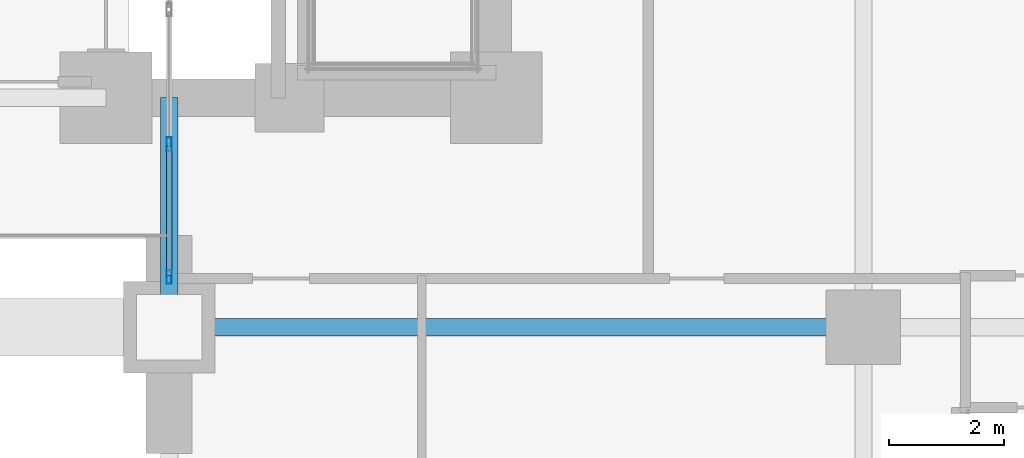
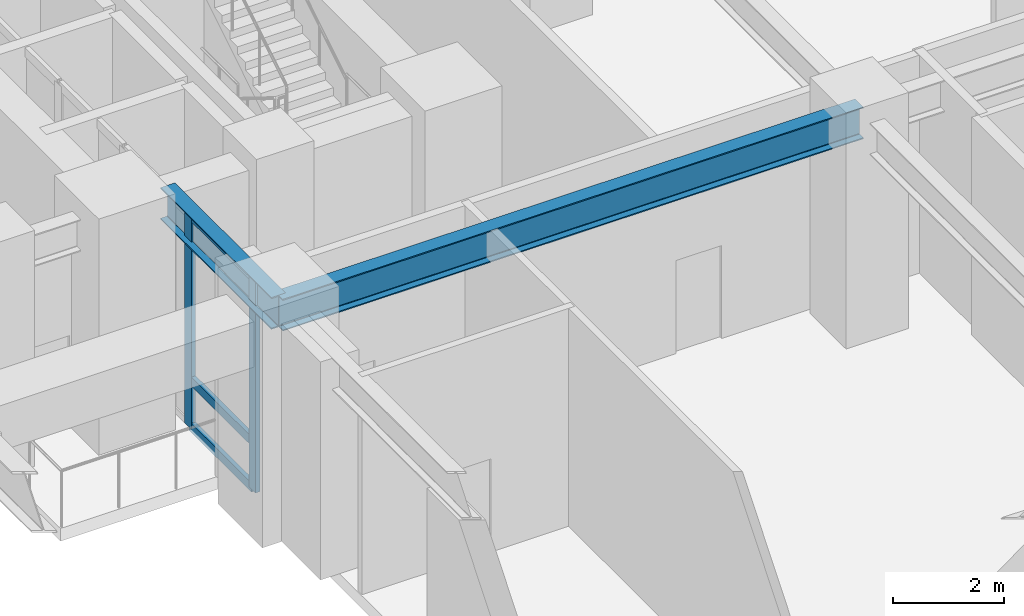
# One storey, part 6 of 26: 5 members, 2 beams, 1 element without a shape of its own.
"""IFC4 building model written with IfcOpenShell, lengths in metres."""

from ifc_helpers import new_model, si_unit, direction, frame, origin, origin_2d, place, context, subcontext, project, spatial, hollow_rectangle, i_section, extrude, material, layer, layer_set, material_profile, profile_set, type_object, element, aggregate, save


model = new_model("IFC4")

# Units and contexts
model_context = context("Model", 3, precision=1e-05, world=origin(), true_north=direction((0.0, 1.0)))
body_context = subcontext(model_context, "Body", "Model", "MODEL_VIEW")
ifc_project = project(units=[si_unit("LENGTHUNIT", "METRE"), si_unit("AREAUNIT", "SQUARE_METRE"), si_unit("VOLUMEUNIT", "CUBIC_METRE"), si_unit("PLANEANGLEUNIT", "RADIAN"), si_unit("MASSUNIT", "GRAM", prefix="KILO")], contexts=[model_context])

# Site, building, storey
site_placement = place(None, origin())
site = spatial("IfcSite", under=ifc_project, at=site_placement, CompositionType="ELEMENT")
building_placement = place(site_placement, origin())
building = spatial("IfcBuilding", under=site, at=building_placement, Name="Voryun Gate Residences", CompositionType="ELEMENT")
storey_placement = place(building_placement, frame((0.0, 0.0, 15.60009765625)))
storey = spatial("IfcBuildingStorey", under=building, at=storey_placement, Name="L03", CompositionType="ELEMENT", Elevation=15.60009765625)

# Beams
ifc_material_1 = material(Name="Steel SM355", Category="steel")
ifc_material_profile_1 = material_profile(ifc_material_1, i_section(OverallWidth=0.300048828125, OverallDepth=0.699951171875, WebThickness=0.012939453125, FlangeThickness=0.02392578125, FilletRadius=0.01806640625, at=origin_2d()), Name="H-700x300x13x24")
ifc_profile_set_1 = profile_set([ifc_material_profile_1], Name="Steel SM355")
beam_type = type_object("IfcBeamType", Name="BM_GIRD_700", PredefinedType="USERDEFINED", material=ifc_profile_set_1)
beam_1_placement = place(storey_placement, frame((13.5, -11.39990234375, 4.449951171875), z_axis=(1.0, 0.0, 0.0), x_axis=(0.0, 1.0, 0.0)))
element("IfcBeam", 1, at=beam_1_placement, inside=storey, type_object=beam_type, Name="BM-L03-PEX--11.4-0", ObjectType="GIRDER", PredefinedType="USERDEFINED", context=body_context, shape_type="SweptSolid", body=[
    extrude(i_section(OverallWidth=0.300048828125, OverallDepth=0.699951171875, WebThickness=0.012939453125, FlangeThickness=0.02392578125, FilletRadius=0.01806640625, at=origin_2d()), origin(), (0.0, 0.0, 1.0), 12.10009765625),
])
beam_2_placement = place(storey_placement, frame((13.5, -11.39990234375, 4.449951171875), z_axis=(0.0, 1.0, 0.0), x_axis=(-1.0, 0.0, 0.0)))
element("IfcBeam", 2, at=beam_2_placement, inside=storey, type_object=beam_type, Name="BM-L03-PEYA--11.4", ObjectType="GIRDER", PredefinedType="USERDEFINED", context=body_context, shape_type="SweptSolid", body=[
    extrude(i_section(OverallWidth=0.300048828125, OverallDepth=0.699951171875, WebThickness=0.012939453125, FlangeThickness=0.02392578125, FilletRadius=0.01806640625, at=origin_2d()), origin(), (0.0, 0.0, 1.0), 4.0),
])

# Curtain wall, members
ifc_material_2 = material(Name="Anodised aluminium", Category="aluminium")
ifc_layer = layer(ifc_material_2, 0.239990234375, Name="CW_SYS_ARCH_DARK_GLASS")
ifc_layer_set = layer_set([ifc_layer], Name="Anodised aluminium")
curtain_wall_type = type_object("IfcCurtainWallType", Name="CW_SYS_ARCH_DARK_GLASS", PredefinedType="NOTDEFINED", material=ifc_layer_set)
curtain_wall_placement = place(storey_placement, origin())
curtain_wall = element("IfcCurtainWall", 3, at=curtain_wall_placement, inside=storey, type_object=curtain_wall_type, Name="Curtain wall CW2-L03-EP-M", PredefinedType="NOTDEFINED")
ifc_material_3 = material(Name="Anodised aluminium", Category="aluminium")
ifc_material_profile_2 = material_profile(ifc_material_3, hollow_rectangle(XDim=0.090087890625, YDim=0.239990234375, WallThickness=0.006103515625, at=origin_2d()), Name="ALU-MULL-240x90x6")
ifc_profile_set_2 = profile_set([ifc_material_profile_2], Name="Anodised aluminium")
member_type_1 = type_object("IfcMemberType", Name="CW_MULL_ARCH", PredefinedType="MULLION", material=ifc_profile_set_2)
member_1_placement = place(storey_placement, frame((13.5, -10.52490234375, 0.0), z_axis=(0.0, 0.0, 1.0), x_axis=(-1.0, 0.0, 0.0)))
member_1 = element("IfcMember", 4, at=member_1_placement, type_object=member_type_1, Name="CW2 mullion 1", PredefinedType="MULLION", context=body_context, shape_type="SweptSolid", body=[
    extrude(hollow_rectangle(XDim=0.090087890625, YDim=0.239990234375, WallThickness=0.006103515625, at=origin_2d()), origin(), (0.0, 0.0, 1.0), 4.699951171875),
])
member_2_placement = place(storey_placement, frame((13.5, -8.20947265625, 0.0), z_axis=(0.0, 0.0, 1.0), x_axis=(-1.0, 0.0, 0.0)))
member_2 = element("IfcMember", 5, at=member_2_placement, type_object=member_type_1, Name="CW2 mullion 2", PredefinedType="MULLION", context=body_context, shape_type="SweptSolid", body=[
    extrude(hollow_rectangle(XDim=0.090087890625, YDim=0.239990234375, WallThickness=0.006103515625, at=origin_2d()), origin(), (0.0, 0.0, 1.0), 4.699951171875),
])
ifc_material_4 = material(Name="Anodised aluminium", Category="aluminium")
ifc_material_profile_3 = material_profile(ifc_material_4, hollow_rectangle(XDim=0.090087890625, YDim=0.199951171875, WallThickness=0.006103515625, at=origin_2d()), Name="ALU-TRAN-200x90x6")
ifc_profile_set_3 = profile_set([ifc_material_profile_3], Name="Anodised aluminium")
member_type_2 = type_object("IfcMemberType", Name="CW_TRAN_ARCH", PredefinedType="USERDEFINED", material=ifc_profile_set_3)
member_3_placement = place(storey_placement, frame((13.5, -10.4951171875, 0.02978515625), z_axis=(0.0, 1.0, 0.0), x_axis=(-1.0, 0.0, 0.0)))
member_3 = element("IfcMember", 6, at=member_3_placement, type_object=member_type_2, Name="CW2 transom 1.1", ObjectType="TRANSOM", PredefinedType="USERDEFINED", context=body_context, shape_type="SweptSolid", body=[
    extrude(hollow_rectangle(XDim=0.090087890625, YDim=0.199951171875, WallThickness=0.006103515625, at=origin_2d()), origin(), (0.0, 0.0, 1.0), 2.255615234375),
])
member_4_placement = place(storey_placement, frame((13.5, -10.4951171875, 1.0498046875), z_axis=(0.0, 1.0, 0.0), x_axis=(-1.0, 0.0, 0.0)))
member_4 = element("IfcMember", 7, at=member_4_placement, type_object=member_type_2, Name="CW2 transom 1.2", ObjectType="TRANSOM", PredefinedType="USERDEFINED", context=body_context, shape_type="SweptSolid", body=[
    extrude(hollow_rectangle(XDim=0.090087890625, YDim=0.199951171875, WallThickness=0.006103515625, at=origin_2d()), origin(), (0.0, 0.0, 1.0), 2.255615234375),
])
member_5_placement = place(storey_placement, frame((13.5, -10.4951171875, 4.669921875), z_axis=(0.0, 1.0, 0.0), x_axis=(-1.0, 0.0, 0.0)))
member_5 = element("IfcMember", 8, at=member_5_placement, type_object=member_type_2, Name="CW2 transom 1.3", ObjectType="TRANSOM", PredefinedType="USERDEFINED", context=body_context, shape_type="SweptSolid", body=[
    extrude(hollow_rectangle(XDim=0.090087890625, YDim=0.199951171875, WallThickness=0.006103515625, at=origin_2d()), origin(), (0.0, 0.0, 1.0), 2.255615234375),
])
aggregate(curtain_wall, [member_1, member_2, member_3, member_4, member_5])

save(model, "model.ifc")
